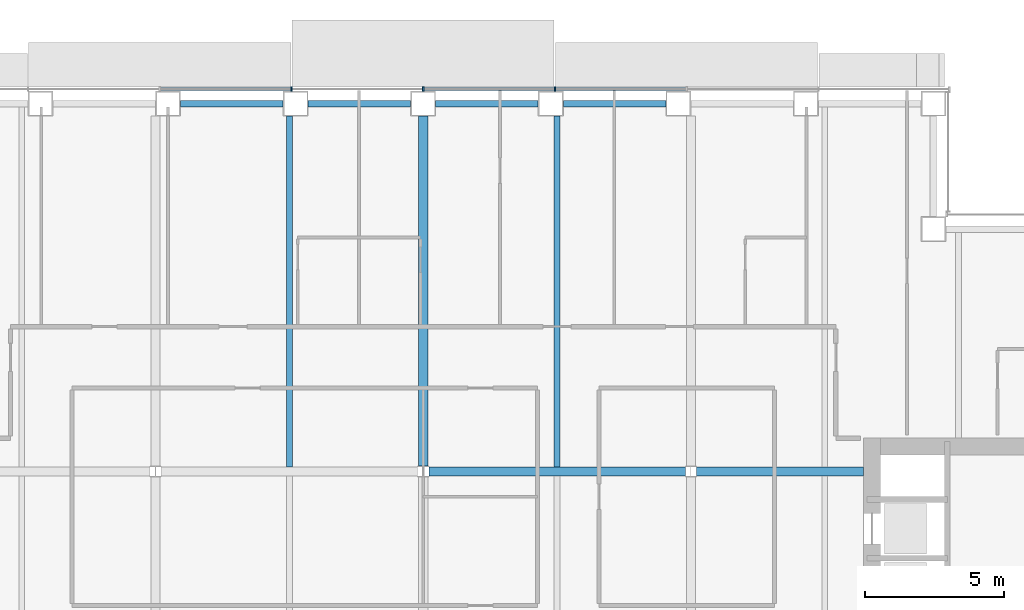
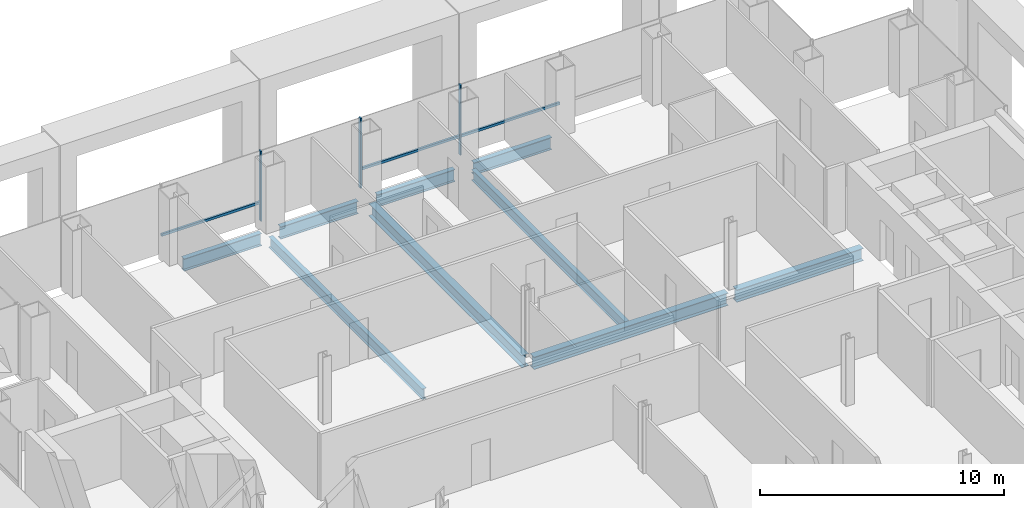
# One storey, part 7 of 20: 9 beams, 6 members, 1 element without a shape of its own.
"""IFC4 building model written with IfcOpenShell, lengths in metres."""

from ifc_helpers import new_model, si_unit, direction, frame, origin, origin_2d, place, context, subcontext, project, spatial, rectangle, i_section, extrude, material, material_profile, profile_set, type_object, element, aggregate, save


model = new_model("IFC4")

# Units and contexts
model_context = context("Model", 3, precision=1e-05, world=origin(), true_north=direction((0.0, 1.0)))
body_context = subcontext(model_context, "Body", "Model", "MODEL_VIEW")
ifc_project = project(units=[si_unit("LENGTHUNIT", "METRE"), si_unit("AREAUNIT", "SQUARE_METRE"), si_unit("VOLUMEUNIT", "CUBIC_METRE"), si_unit("PLANEANGLEUNIT", "RADIAN"), si_unit("MASSUNIT", "GRAM", prefix="KILO")], contexts=[model_context])

# Site, building, storey
site_placement = place(None, origin())
site = spatial("IfcSite", under=ifc_project, at=site_placement, CompositionType="ELEMENT")
building_placement = place(site_placement, origin())
building = spatial("IfcBuilding", under=site, at=building_placement, Name="Cobrizo Arcos Hotel Tower", CompositionType="ELEMENT")
storey_placement = place(building_placement, frame((0.0, 0.0, 110.0)))
storey = spatial("IfcBuildingStorey", under=building, at=storey_placement, Name="L27", CompositionType="ELEMENT", Elevation=110.0)

# Curtain wall, members
ifc_material_1 = material(Name="Aluminium 6063-T6 anodised bronze", Category="aluminium")
curtain_wall_type = type_object("IfcCurtainWallType", Name="CW-A guest facade", PredefinedType="NOTDEFINED", material=ifc_material_1)
curtain_wall_placement = place(storey_placement, origin())
curtain_wall = element("IfcCurtainWall", 1, at=curtain_wall_placement, inside=storey, type_object=curtain_wall_type, Name="CW-A L27 N face", PredefinedType="NOTDEFINED")
ifc_material_profile_1 = material_profile(ifc_material_1, rectangle(XDim=0.14990234375, YDim=0.06005859375, at=origin_2d()), Name="CW-A mullion 150x60")
ifc_profile_set_1 = profile_set([ifc_material_profile_1], Name="Aluminium 6063-T6 anodised bronze")
member_type_1 = type_object("IfcMemberType", Name="CW-A mullion 150x60", PredefinedType="MULLION", material=ifc_profile_set_1)
member_1_placement = place(storey_placement, frame((4.72509765625, 23.324951171875, 0.0), z_axis=(0.0, 0.0, 1.0), x_axis=(0.0, 1.0, 0.0)))
member_1 = element("IfcMember", 2, at=member_1_placement, type_object=member_type_1, Name="CW-A mullion 4", PredefinedType="MULLION", context=body_context, shape_type="SweptSolid", body=[
    extrude(rectangle(XDim=0.14990234375, YDim=0.06005859375, at=origin_2d()), origin(), (0.0, 0.0, 1.0), 3.5),
])
member_2_placement = place(storey_placement, frame((0.0, 23.324951171875, 0.0), z_axis=(0.0, 0.0, 1.0), x_axis=(0.0, 1.0, 0.0)))
member_2 = element("IfcMember", 3, at=member_2_placement, type_object=member_type_1, Name="CW-A mullion 5", PredefinedType="MULLION", context=body_context, shape_type="SweptSolid", body=[
    extrude(rectangle(XDim=0.14990234375, YDim=0.06005859375, at=origin_2d()), origin(), (0.0, 0.0, 1.0), 3.5),
])
member_3_placement = place(storey_placement, frame((-4.72509765625, 23.324951171875, 0.0), z_axis=(0.0, 0.0, 1.0), x_axis=(0.0, 1.0, 0.0)))
member_3 = element("IfcMember", 4, at=member_3_placement, type_object=member_type_1, Name="CW-A mullion 6", PredefinedType="MULLION", context=body_context, shape_type="SweptSolid", body=[
    extrude(rectangle(XDim=0.14990234375, YDim=0.06005859375, at=origin_2d()), origin(), (0.0, 0.0, 1.0), 3.5),
])
ifc_material_profile_2 = material_profile(ifc_material_1, rectangle(XDim=0.10009765625, YDim=0.1201171875, at=origin_2d()), Name="CW-A transom 120x100")
ifc_profile_set_2 = profile_set([ifc_material_profile_2], Name="Aluminium 6063-T6 anodised bronze")
member_type_2 = type_object("IfcMemberType", Name="CW-A transom 120x100", PredefinedType="USERDEFINED", material=ifc_profile_set_2)
member_4_placement = place(storey_placement, frame((9.419921875, 23.324951171875, 0.929931640625), z_axis=(-1.0, 0.0, 0.0), x_axis=(0.0, -1.0, 0.0)))
member_4 = element("IfcMember", 5, at=member_4_placement, type_object=member_type_2, Name="CW-A transom 1061", ObjectType="TRANSOM", PredefinedType="USERDEFINED", context=body_context, shape_type="SweptSolid", body=[
    extrude(rectangle(XDim=0.10009765625, YDim=0.1201171875, at=origin_2d()), origin(), (0.0, 0.0, 1.0), 4.6650390625),
])
member_5_placement = place(storey_placement, frame((4.695068359375, 23.324951171875, 0.929931640625), z_axis=(-1.0, 0.0, 0.0), x_axis=(0.0, -1.0, 0.0)))
member_5 = element("IfcMember", 6, at=member_5_placement, type_object=member_type_2, Name="CW-A transom 1062", ObjectType="TRANSOM", PredefinedType="USERDEFINED", context=body_context, shape_type="SweptSolid", body=[
    extrude(rectangle(XDim=0.10009765625, YDim=0.1201171875, at=origin_2d()), origin(), (0.0, 0.0, 1.0), 4.6650390625),
])
member_6_placement = place(storey_placement, frame((-4.7548828125, 23.324951171875, 0.929931640625), z_axis=(-1.0, 0.0, 0.0), x_axis=(0.0, -1.0, 0.0)))
member_6 = element("IfcMember", 7, at=member_6_placement, type_object=member_type_2, Name="CW-A transom 1064", ObjectType="TRANSOM", PredefinedType="USERDEFINED", context=body_context, shape_type="SweptSolid", body=[
    extrude(rectangle(XDim=0.10009765625, YDim=0.1201171875, at=origin_2d()), origin(), (0.0, 0.0, 1.0), 4.6650390625),
])
aggregate(curtain_wall, [member_1, member_2, member_3, member_4, member_5, member_6])

# Beams
ifc_material_2 = material(Name="Steel ASTM A992 Grade 50", Category="steel")
ifc_material_profile_3 = material_profile(ifc_material_2, i_section(OverallWidth=0.209228515625, OverallDepth=0.533447265625, WebThickness=0.01025390625, FlangeThickness=0.015625, at=origin_2d()), Name="W21X62")
ifc_profile_set_3 = profile_set([ifc_material_profile_3], Name="Steel ASTM A992 Grade 50")
beam_type_1 = type_object("IfcBeamType", Name="W21X62 joist", PredefinedType="JOIST", material=ifc_profile_set_3)
for number, where, z_axis, x_axis, name in (
    (8, (-4.800048828125, 9.763916015625, -0.416748046875), (0.0, 1.0, 0.0), (-1.0, 0.0, 0.0), "Floor joist J1, L27, no. 010"),
    (9, (4.800048828125, 9.763916015625, -0.416748046875), (0.0, 1.0, 0.0), (-1.0, 0.0, 0.0), "Floor joist J1, L27, no. 014"),
):
    element("IfcBeam", number, at=place(storey_placement, frame(where, z_axis=z_axis, x_axis=x_axis)), inside=storey, type_object=beam_type_1, Name=name, PredefinedType="JOIST", context=body_context, shape_type="SweptSolid", body=[
        extrude(i_section(OverallWidth=0.209228515625, OverallDepth=0.533447265625, WebThickness=0.01025390625, FlangeThickness=0.015625, at=origin_2d()), origin(), (0.0, 0.0, 1.0), 12.586181640625),
    ])
ifc_material_profile_4 = material_profile(ifc_material_2, i_section(OverallWidth=0.32763671875, OverallDepth=0.622314453125, WebThickness=0.015380859375, FlangeThickness=0.0244140625, at=origin_2d()), Name="W24X131")
ifc_profile_set_4 = profile_set([ifc_material_profile_4], Name="Steel ASTM A992 Grade 50")
beam_type_2 = type_object("IfcBeamType", Name="W24X131 girder", PredefinedType="BEAM", material=ifc_profile_set_4)
beam_1_placement = place(storey_placement, frame((0.199462890625, 9.60009765625, -0.461181640625), z_axis=(1.0, 0.0, 0.0), x_axis=(0.0, 1.0, 0.0)))
element("IfcBeam", 10, at=beam_1_placement, inside=storey, type_object=beam_type_2, Name="Floor girder G1, L27, no. 011", PredefinedType="BEAM", context=body_context, shape_type="SweptSolid", body=[
    extrude(i_section(OverallWidth=0.32763671875, OverallDepth=0.622314453125, WebThickness=0.015380859375, FlangeThickness=0.0244140625, at=origin_2d()), origin(), (0.0, 0.0, 1.0), 9.201171875),
])
beam_2_placement = place(storey_placement, frame((9.79931640625, 9.60009765625, -0.461181640625), z_axis=(1.0, 0.0, 0.0), x_axis=(0.0, 1.0, 0.0)))
element("IfcBeam", 11, at=beam_2_placement, inside=storey, type_object=beam_type_2, Name="Floor girder G1, L27, no. 012", PredefinedType="BEAM", context=body_context, shape_type="SweptSolid", body=[
    extrude(i_section(OverallWidth=0.32763671875, OverallDepth=0.622314453125, WebThickness=0.015380859375, FlangeThickness=0.0244140625, at=origin_2d()), origin(), (0.0, 0.0, 1.0), 5.99072265625),
])
beam_3_placement = place(storey_placement, frame((0.0, 9.79931640625, -0.461181640625), z_axis=(0.0, 1.0, 0.0), x_axis=(-1.0, 0.0, 0.0)))
element("IfcBeam", 12, at=beam_3_placement, inside=storey, type_object=beam_type_2, Name="Floor girder G1, L27, no. 020", PredefinedType="BEAM", context=body_context, shape_type="SweptSolid", body=[
    extrude(i_section(OverallWidth=0.32763671875, OverallDepth=0.622314453125, WebThickness=0.015380859375, FlangeThickness=0.0244140625, at=origin_2d()), origin(), (0.0, 0.0, 1.0), 12.55078125),
])
ifc_material_profile_5 = material_profile(ifc_material_2, i_section(OverallWidth=0.23046875, OverallDepth=0.6171875, WebThickness=0.01318359375, FlangeThickness=0.022216796875, at=origin_2d()), Name="W24X94")
ifc_profile_set_5 = profile_set([ifc_material_profile_5], Name="Steel ASTM A992 Grade 50")
beam_type_3 = type_object("IfcBeamType", Name="W24X94 spandrel", PredefinedType="SPANDREL", material=ifc_profile_set_5)
for number, where, z_axis, x_axis, name in (
    (13, (8.699951171875, 22.800048828125, -0.45849609375), (-1.0, 0.0, 0.0), (0.0, -1.0, 0.0), "Spandrel beam W24X94, L27, no. 019"),
    (14, (4.125, 22.800048828125, -0.45849609375), (-1.0, 0.0, 0.0), (0.0, -1.0, 0.0), "Spandrel beam W24X94, L27, no. 020"),
    (15, (-0.449951171875, 22.800048828125, -0.45849609375), (-1.0, 0.0, 0.0), (0.0, -1.0, 0.0), "Spandrel beam W24X94, L27, no. 021"),
    (16, (-5.02490234375, 22.800048828125, -0.45849609375), (-1.0, 0.0, 0.0), (0.0, -1.0, 0.0), "Spandrel beam W24X94, L27, no. 022"),
):
    element("IfcBeam", number, at=place(storey_placement, frame(where, z_axis=z_axis, x_axis=x_axis)), inside=storey, type_object=beam_type_3, Name=name, PredefinedType="SPANDREL", context=body_context, shape_type="SweptSolid", body=[
        extrude(i_section(OverallWidth=0.23046875, OverallDepth=0.6171875, WebThickness=0.01318359375, FlangeThickness=0.022216796875, at=origin_2d()), origin(), (0.0, 0.0, 1.0), 3.675048828125),
    ])

save(model, "model.ifc")
